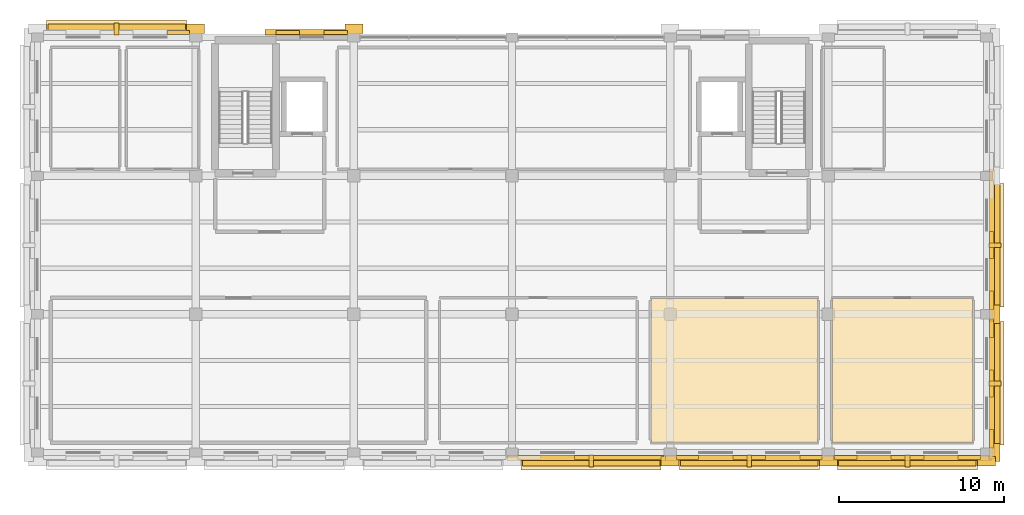
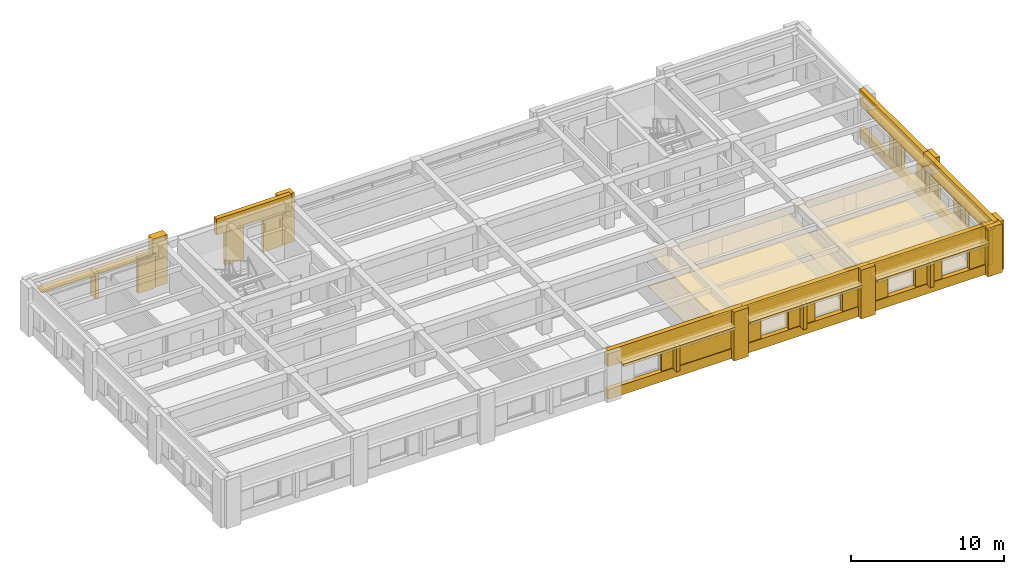
# One storey, part 10 of 11: 49 coverings, 6 shading devices.
"""IFC4 building model written with IfcOpenShell, lengths in metres."""

from ifc_helpers import new_model, si_unit, direction, frame, origin, origin_2d, place, context, subcontext, project, spatial, polyline, rectangle, outline, extrude, material, layer, layer_set, type_object, element, save


model = new_model("IFC4")

# Units and contexts
model_context = context("Model", 3, precision=1e-05, world=origin(), true_north=direction((0.0, 1.0)))
body_context = subcontext(model_context, "Body", "Model", "MODEL_VIEW")
ifc_project = project(units=[si_unit("LENGTHUNIT", "METRE"), si_unit("AREAUNIT", "SQUARE_METRE"), si_unit("VOLUMEUNIT", "CUBIC_METRE"), si_unit("PLANEANGLEUNIT", "RADIAN"), si_unit("MASSUNIT", "GRAM", prefix="KILO")], contexts=[model_context])

# Site, building, storey
site_placement = place(None, origin())
site = spatial("IfcSite", under=ifc_project, at=site_placement, CompositionType="ELEMENT")
building_placement = place(site_placement, origin())
building = spatial("IfcBuilding", under=site, at=building_placement, Name="Bempovik Park Faculty of Sciences", CompositionType="ELEMENT")
storey_placement = place(building_placement, frame((0.0, 0.0, 30.60009765625)))
storey = spatial("IfcBuildingStorey", under=building, at=storey_placement, Name="L07", CompositionType="ELEMENT", Elevation=30.60009765625)

# Coverings
ifc_material_1 = material(Name="Acoustic mineral ceiling tile")
ifc_layer_1 = layer(ifc_material_1, 0.0400390625)
ifc_layer_set_1 = layer_set([ifc_layer_1], Name="Acoustic mineral ceiling tile")
covering_type_1 = type_object("IfcCoveringType", Name="CE-01 Acoustic Ceiling 40mm", PredefinedType="CEILING", material=ifc_layer_set_1)
covering_1_placement = place(storey_placement, frame((0.0, 0.0, 2.809814453125)))
element("IfcCovering", 1, at=covering_1_placement, inside=storey, type_object=covering_type_1, Name="L07 Applied Mathematics Colloquium Room Acoustic Ceiling", PredefinedType="CEILING", context=body_context, shape_type="SweptSolid", body=[
    extrude(outline(polyline([(97.22998046875, 94.830078125), (107.3701171875, 94.830078125), (107.3701171875, 103.570068359375), (97.22998046875, 103.570068359375), (97.22998046875, 94.830078125)])), origin(), (0.0, 0.0, 1.0), 0.0400390625),
])
covering_2_placement = place(storey_placement, frame((0.0, 0.0, 2.809814453125)))
element("IfcCovering", 2, at=covering_2_placement, inside=storey, type_object=covering_type_1, Name="L07 Computational Science Staff Offices Acoustic Ceiling", PredefinedType="CEILING", context=body_context, shape_type="SweptSolid", body=[
    extrude(outline(polyline([(108.22998046875, 94.830078125), (116.77001953125, 94.830078125), (116.77001953125, 103.570068359375), (108.22998046875, 103.570068359375), (108.22998046875, 94.830078125)])), origin(), (0.0, 0.0, 1.0), 0.0400390625),
])
ifc_material_2 = material(Name="Precast concrete C40/50", Category="concrete")
ifc_layer_2 = layer(ifc_material_2, 0.179931640625)
ifc_layer_set_2 = layer_set([ifc_layer_2], Name="Precast concrete C40/50")
covering_type_2 = type_object("IfcCoveringType", Name="CL-02 Classical Cornice Band 180mm", PredefinedType="CLADDING", material=ifc_layer_set_2)
for number, where, z_axis, x_axis, name in (
    (3, (118.199951171875, 98.39990234375, 2.66015625), (0.0, 0.0, 1.0), (1.0, 0.0, 0.0), "L07 Classical Stone Solar Window Hood EW-L07-10555"),
    (4, (118.199951171875, 106.800048828125, 2.66015625), (0.0, 0.0, 1.0), (1.0, 0.0, 0.0), "L07 Classical Stone Solar Window Hood EW-L07-10568"),
):
    element("IfcCovering", number, at=place(storey_placement, frame(where, z_axis=z_axis, x_axis=x_axis)), inside=storey, type_object=covering_type_2, Name=name, PredefinedType="CLADDING", context=body_context, shape_type="SweptSolid", body=[
        extrude(rectangle(XDim=0.919921875, YDim=7.49609375, at=origin_2d()), origin(), (0.0, 0.0, 1.0), 0.219970703125),
    ])
for number, where, z_axis, x_axis, name in (
    (5, (64.800048828125, 120.0, 2.66015625), (0.0, 0.0, 1.0), (1.0, 0.0, 0.0), "L07 Classical Stone Solar Window Hood EW-L07-10592"),
    (6, (93.60009765625, 93.60009765625, 2.66015625), (0.0, 0.0, 1.0), (1.0, 0.0, 0.0), "L07 Classical Stone Solar Window Hood EW-L07-10738"),
    (7, (103.199951171875, 93.60009765625, 2.66015625), (0.0, 0.0, 1.0), (1.0, 0.0, 0.0), "L07 Classical Stone Solar Window Hood EW-L07-10748"),
    (8, (112.800048828125, 93.60009765625, 2.66015625), (0.0, 0.0, 1.0), (1.0, 0.0, 0.0), "L07 Classical Stone Solar Window Hood EW-L07-10760"),
):
    element("IfcCovering", number, at=place(storey_placement, frame(where, z_axis=z_axis, x_axis=x_axis)), inside=storey, type_object=covering_type_2, Name=name, PredefinedType="CLADDING", context=body_context, shape_type="SweptSolid", body=[
        extrude(rectangle(XDim=8.49609375, YDim=0.919921875, at=origin_2d()), origin(), (0.0, 0.0, 1.0), 0.219970703125),
    ])
ifc_material_3 = material(Name="White reconstituted limestone precast C40/50", Category="masonry")
ifc_layer_3 = layer(ifc_material_3, 0.239990234375)
ifc_layer_set_3 = layer_set([ifc_layer_3], Name="White reconstituted limestone precast C40/50")
covering_type_3 = type_object("IfcCoveringType", Name="CL-03 Classical Fluted Limestone Pilaster 240mm", PredefinedType="CLADDING", material=ifc_layer_set_3)
covering_3_placement = place(storey_placement, frame((117.909912109375, 98.39990234375, 2.6201171875), z_axis=(0.0, 0.0, 1.0), x_axis=(1.0, 0.0, 0.0)))
element("IfcCovering", 9, at=covering_3_placement, inside=storey, type_object=covering_type_3, Name="L07 Classical Limestone Spandrel Entablature EW-L07-10555", PredefinedType="CLADDING", context=body_context, shape_type="SweptSolid", body=[
    extrude(rectangle(XDim=0.340087890625, YDim=9.196044921875, at=origin_2d()), origin(), (0.0, 0.0, 1.0), 1.280029296875),
])
covering_4_placement = place(storey_placement, frame((117.909912109375, 98.39990234375, 0.0), z_axis=(0.0, 0.0, 1.0), x_axis=(1.0, 0.0, 0.0)))
element("IfcCovering", 10, at=covering_4_placement, inside=storey, type_object=covering_type_3, Name="L07 Classical Limestone Sill Dado EW-L07-10555", PredefinedType="CLADDING", context=body_context, shape_type="SweptSolid", body=[
    extrude(rectangle(XDim=0.340087890625, YDim=9.196044921875, at=origin_2d()), origin(), (0.0, 0.0, 1.0), 0.780029296875),
])
for number, where, z_axis, x_axis, name in (
    (11, (118.1298828125, 94.199951171875, 0.0), (0.0, 0.0, 1.0), (1.0, 0.0, 0.0), "L07 Classical Fluted Stone Pilaster PIL-BA-L07-1181-942"),
    (12, (118.1298828125, 102.60009765625, 0.0), (0.0, 0.0, 1.0), (1.0, 0.0, 0.0), "L07 Classical Fluted Stone Pilaster PIL-BA-L07-1181-1026"),
):
    element("IfcCovering", number, at=place(storey_placement, frame(where, z_axis=z_axis, x_axis=x_axis)), inside=storey, type_object=covering_type_3, Name=name, PredefinedType="CLADDING", context=body_context, shape_type="SweptSolid", body=[
        extrude(rectangle(XDim=0.580078125, YDim=1.10009765625, at=origin_2d()), origin(), (0.0, 0.0, 1.0), 3.89990234375),
    ])
covering_5_placement = place(storey_placement, frame((117.89990234375, 95.041259765625, 0.0), z_axis=(0.0, 0.0, 1.0), x_axis=(1.0, 0.0, 0.0)))
element("IfcCovering", 13, at=covering_5_placement, inside=storey, type_object=covering_type_3, Name="L07 White Limestone Wall Cheek EW-L07-10555-0", PredefinedType="CLADDING", context=body_context, shape_type="SweptSolid", body=[
    extrude(rectangle(XDim=0.239990234375, YDim=1.12841796875, at=origin_2d()), origin(), (0.0, 0.0, 1.0), 2.780029296875),
])
covering_6_placement = place(storey_placement, frame((117.89990234375, 98.39990234375, 0.0), z_axis=(0.0, 0.0, 1.0), x_axis=(1.0, 0.0, 0.0)))
element("IfcCovering", 14, at=covering_6_placement, inside=storey, type_object=covering_type_3, Name="L07 White Limestone Wall Cheek EW-L07-10555-2", PredefinedType="CLADDING", context=body_context, shape_type="SweptSolid", body=[
    extrude(rectangle(XDim=0.239990234375, YDim=1.629150390625, at=origin_2d()), origin(), (0.0, 0.0, 1.0), 2.780029296875),
])
covering_7_placement = place(storey_placement, frame((117.89990234375, 101.7587890625, 0.0), z_axis=(0.0, 0.0, 1.0), x_axis=(1.0, 0.0, 0.0)))
element("IfcCovering", 15, at=covering_7_placement, inside=storey, type_object=covering_type_3, Name="L07 White Limestone Wall Cheek EW-L07-10555-4", PredefinedType="CLADDING", context=body_context, shape_type="SweptSolid", body=[
    extrude(rectangle(XDim=0.239990234375, YDim=1.12841796875, at=origin_2d()), origin(), (0.0, 0.0, 1.0), 2.780029296875),
])
covering_8_placement = place(storey_placement, frame((118.110107421875, 98.39990234375, 0.64990234375), z_axis=(0.0, 0.0, 1.0), x_axis=(1.0, 0.0, 0.0)))
element("IfcCovering", 16, at=covering_8_placement, inside=storey, type_object=covering_type_3, Name="L07 Classical Vertical Stone Shading Fin EW-L07-10555", PredefinedType="CLADDING", context=body_context, shape_type="SweptSolid", body=[
    extrude(rectangle(XDim=0.719970703125, YDim=0.280029296875, at=origin_2d()), origin(), (0.0, 0.0, 1.0), 2.050048828125),
])
covering_9_placement = place(storey_placement, frame((117.909912109375, 106.800048828125, 2.6201171875), z_axis=(0.0, 0.0, 1.0), x_axis=(1.0, 0.0, 0.0)))
element("IfcCovering", 17, at=covering_9_placement, inside=storey, type_object=covering_type_3, Name="L07 Classical Limestone Spandrel Entablature EW-L07-10568", PredefinedType="CLADDING", context=body_context, shape_type="SweptSolid", body=[
    extrude(rectangle(XDim=0.340087890625, YDim=9.196044921875, at=origin_2d()), origin(), (0.0, 0.0, 1.0), 1.280029296875),
])
covering_10_placement = place(storey_placement, frame((117.909912109375, 106.800048828125, 0.0), z_axis=(0.0, 0.0, 1.0), x_axis=(1.0, 0.0, 0.0)))
element("IfcCovering", 18, at=covering_10_placement, inside=storey, type_object=covering_type_3, Name="L07 Classical Limestone Sill Dado EW-L07-10568", PredefinedType="CLADDING", context=body_context, shape_type="SweptSolid", body=[
    extrude(rectangle(XDim=0.340087890625, YDim=9.196044921875, at=origin_2d()), origin(), (0.0, 0.0, 1.0), 0.780029296875),
])
covering_11_placement = place(storey_placement, frame((117.89990234375, 103.441162109375, 0.0), z_axis=(0.0, 0.0, 1.0), x_axis=(1.0, 0.0, 0.0)))
element("IfcCovering", 19, at=covering_11_placement, inside=storey, type_object=covering_type_3, Name="L07 White Limestone Wall Cheek EW-L07-10568-0", PredefinedType="CLADDING", context=body_context, shape_type="SweptSolid", body=[
    extrude(rectangle(XDim=0.239990234375, YDim=1.12841796875, at=origin_2d()), origin(), (0.0, 0.0, 1.0), 2.780029296875),
])
covering_12_placement = place(storey_placement, frame((117.89990234375, 106.800048828125, 0.0), z_axis=(0.0, 0.0, 1.0), x_axis=(1.0, 0.0, 0.0)))
element("IfcCovering", 20, at=covering_12_placement, inside=storey, type_object=covering_type_3, Name="L07 White Limestone Wall Cheek EW-L07-10568-2", PredefinedType="CLADDING", context=body_context, shape_type="SweptSolid", body=[
    extrude(rectangle(XDim=0.239990234375, YDim=1.629150390625, at=origin_2d()), origin(), (0.0, 0.0, 1.0), 2.780029296875),
])
covering_13_placement = place(storey_placement, frame((118.110107421875, 106.800048828125, 0.64990234375), z_axis=(0.0, 0.0, 1.0), x_axis=(1.0, 0.0, 0.0)))
element("IfcCovering", 21, at=covering_13_placement, inside=storey, type_object=covering_type_3, Name="L07 Classical Vertical Stone Shading Fin EW-L07-10568", PredefinedType="CLADDING", context=body_context, shape_type="SweptSolid", body=[
    extrude(rectangle(XDim=0.719970703125, YDim=0.280029296875, at=origin_2d()), origin(), (0.0, 0.0, 1.0), 2.050048828125),
])
covering_14_placement = place(storey_placement, frame((69.60009765625, 119.929931640625, 0.0), z_axis=(0.0, 0.0, 1.0), x_axis=(1.0, 0.0, 0.0)))
element("IfcCovering", 22, at=covering_14_placement, inside=storey, type_object=covering_type_3, Name="L07 Classical Fluted Stone Pilaster PIL-BA-L07-696-1199", PredefinedType="CLADDING", context=body_context, shape_type="SweptSolid", body=[
    extrude(rectangle(XDim=1.10009765625, YDim=0.580078125, at=origin_2d()), origin(), (0.0, 0.0, 1.0), 3.89990234375),
])
covering_15_placement = place(storey_placement, frame((68.548828125, 119.699951171875, 0.0), z_axis=(0.0, 0.0, 1.0), x_axis=(1.0, 0.0, 0.0)))
element("IfcCovering", 23, at=covering_15_placement, inside=storey, type_object=covering_type_3, Name="L07 White Limestone Wall Cheek EW-L07-10592-4", PredefinedType="CLADDING", context=body_context, shape_type="SweptSolid", body=[
    extrude(rectangle(XDim=1.348388671875, YDim=0.239990234375, at=origin_2d()), origin(), (0.0, 0.0, 1.0), 2.780029296875),
])
covering_16_placement = place(storey_placement, frame((64.800048828125, 119.909912109375, 0.699951171875), z_axis=(0.0, 0.0, 1.0), x_axis=(1.0, 0.0, 0.0)))
element("IfcCovering", 24, at=covering_16_placement, inside=storey, type_object=covering_type_3, Name="L07 Classical Vertical Stone Shading Fin EW-L07-10592", PredefinedType="CLADDING", context=body_context, shape_type="SweptSolid", body=[
    extrude(rectangle(XDim=0.280029296875, YDim=0.719970703125, at=origin_2d()), origin(), (0.0, 0.0, 1.0), 2.0),
])
covering_17_placement = place(storey_placement, frame((76.6494140625, 119.7099609375, 2.6201171875), z_axis=(0.0, 0.0, 1.0), x_axis=(1.0, 0.0, 0.0)))
element("IfcCovering", 25, at=covering_17_placement, inside=storey, type_object=covering_type_3, Name="L07 Classical Limestone Spandrel Entablature EW-L07-10605", PredefinedType="CLADDING", context=body_context, shape_type="SweptSolid", body=[
    extrude(rectangle(XDim=5.697021484375, YDim=0.340087890625, at=origin_2d()), origin(), (0.0, 0.0, 1.0), 1.280029296875),
])
covering_18_placement = place(storey_placement, frame((79.199951171875, 119.929931640625, 0.0), z_axis=(0.0, 0.0, 1.0), x_axis=(1.0, 0.0, 0.0)))
element("IfcCovering", 26, at=covering_18_placement, inside=storey, type_object=covering_type_3, Name="L07 Classical Fluted Stone Pilaster PIL-BA-L07-792-1199", PredefinedType="CLADDING", context=body_context, shape_type="SweptSolid", body=[
    extrude(rectangle(XDim=1.10009765625, YDim=0.580078125, at=origin_2d()), origin(), (0.0, 0.0, 1.0), 3.89990234375),
])
for number, where, z_axis, x_axis, name in (
    (27, (75.19287109375, 119.699951171875, 0.0), (0.0, 0.0, 1.0), (1.0, 0.0, 0.0), "L07 Stairwell White Limestone Cheek EW-L07-10605-1"),
    (28, (78.106201171875, 119.699951171875, 0.0), (0.0, 0.0, 1.0), (1.0, 0.0, 0.0), "L07 Stairwell White Limestone Cheek EW-L07-10605-2"),
):
    element("IfcCovering", number, at=place(storey_placement, frame(where, z_axis=z_axis, x_axis=x_axis)), inside=storey, type_object=covering_type_3, Name=name, PredefinedType="CLADDING", context=body_context, shape_type="SweptSolid", body=[
        extrude(rectangle(XDim=1.43359375, YDim=0.239990234375, at=origin_2d()), origin(), (0.0, 0.0, 1.0), 2.780029296875),
    ])
covering_19_placement = place(storey_placement, frame((93.60009765625, 93.889892578125, 2.6201171875), z_axis=(0.0, 0.0, 1.0), x_axis=(1.0, 0.0, 0.0)))
element("IfcCovering", 29, at=covering_19_placement, inside=storey, type_object=covering_type_3, Name="L07 Classical Limestone Spandrel Entablature EW-L07-10738", PredefinedType="CLADDING", context=body_context, shape_type="SweptSolid", body=[
    extrude(rectangle(XDim=10.196044921875, YDim=0.340087890625, at=origin_2d()), origin(), (0.0, 0.0, 1.0), 1.280029296875),
])
covering_20_placement = place(storey_placement, frame((93.60009765625, 93.889892578125, 0.0), z_axis=(0.0, 0.0, 1.0), x_axis=(1.0, 0.0, 0.0)))
element("IfcCovering", 30, at=covering_20_placement, inside=storey, type_object=covering_type_3, Name="L07 Classical Limestone Sill Dado EW-L07-10738", PredefinedType="CLADDING", context=body_context, shape_type="SweptSolid", body=[
    extrude(rectangle(XDim=10.196044921875, YDim=0.340087890625, at=origin_2d()), origin(), (0.0, 0.0, 1.0), 0.780029296875),
])
covering_21_placement = place(storey_placement, frame((98.39990234375, 93.669921875, 0.0), z_axis=(0.0, 0.0, 1.0), x_axis=(1.0, 0.0, 0.0)))
element("IfcCovering", 31, at=covering_21_placement, inside=storey, type_object=covering_type_3, Name="L07 Classical Fluted Stone Pilaster PIL-BA-L07-984-937", PredefinedType="CLADDING", context=body_context, shape_type="SweptSolid", body=[
    extrude(rectangle(XDim=1.10009765625, YDim=0.580078125, at=origin_2d()), origin(), (0.0, 0.0, 1.0), 3.89990234375),
])
covering_22_placement = place(storey_placement, frame((95.314208984375, 93.89990234375, 0.0), z_axis=(0.0, 0.0, 1.0), x_axis=(1.0, 0.0, 0.0)))
element("IfcCovering", 32, at=covering_22_placement, inside=storey, type_object=covering_type_3, Name="L07 White Limestone Wall Cheek EW-L07-10738-2", PredefinedType="CLADDING", context=body_context, shape_type="SweptSolid", body=[
    extrude(rectangle(XDim=5.41748046875, YDim=0.239990234375, at=origin_2d()), origin(), (0.0, 0.0, 1.0), 2.780029296875),
])
covering_23_placement = place(storey_placement, frame((93.60009765625, 93.68994140625, 0.699951171875), z_axis=(0.0, 0.0, 1.0), x_axis=(1.0, 0.0, 0.0)))
element("IfcCovering", 33, at=covering_23_placement, inside=storey, type_object=covering_type_3, Name="L07 Classical Vertical Stone Shading Fin EW-L07-10738", PredefinedType="CLADDING", context=body_context, shape_type="SweptSolid", body=[
    extrude(rectangle(XDim=0.280029296875, YDim=0.719970703125, at=origin_2d()), origin(), (0.0, 0.0, 1.0), 2.0),
])
covering_24_placement = place(storey_placement, frame((103.199951171875, 93.889892578125, 2.6201171875), z_axis=(0.0, 0.0, 1.0), x_axis=(1.0, 0.0, 0.0)))
element("IfcCovering", 34, at=covering_24_placement, inside=storey, type_object=covering_type_3, Name="L07 Classical Limestone Spandrel Entablature EW-L07-10748", PredefinedType="CLADDING", context=body_context, shape_type="SweptSolid", body=[
    extrude(rectangle(XDim=10.196044921875, YDim=0.340087890625, at=origin_2d()), origin(), (0.0, 0.0, 1.0), 1.280029296875),
])
covering_25_placement = place(storey_placement, frame((103.199951171875, 93.889892578125, 0.0), z_axis=(0.0, 0.0, 1.0), x_axis=(1.0, 0.0, 0.0)))
element("IfcCovering", 35, at=covering_25_placement, inside=storey, type_object=covering_type_3, Name="L07 Classical Limestone Sill Dado EW-L07-10748", PredefinedType="CLADDING", context=body_context, shape_type="SweptSolid", body=[
    extrude(rectangle(XDim=10.196044921875, YDim=0.340087890625, at=origin_2d()), origin(), (0.0, 0.0, 1.0), 0.780029296875),
])
covering_26_placement = place(storey_placement, frame((108.0, 93.669921875, 0.0), z_axis=(0.0, 0.0, 1.0), x_axis=(1.0, 0.0, 0.0)))
element("IfcCovering", 36, at=covering_26_placement, inside=storey, type_object=covering_type_3, Name="L07 Classical Fluted Stone Pilaster PIL-BA-L07-1080-937", PredefinedType="CLADDING", context=body_context, shape_type="SweptSolid", body=[
    extrude(rectangle(XDim=1.10009765625, YDim=0.580078125, at=origin_2d()), origin(), (0.0, 0.0, 1.0), 3.89990234375),
])
covering_27_placement = place(storey_placement, frame((99.451171875, 93.89990234375, 0.0), z_axis=(0.0, 0.0, 1.0), x_axis=(1.0, 0.0, 0.0)))
element("IfcCovering", 37, at=covering_27_placement, inside=storey, type_object=covering_type_3, Name="L07 White Limestone Wall Cheek EW-L07-10748-0", PredefinedType="CLADDING", context=body_context, shape_type="SweptSolid", body=[
    extrude(rectangle(XDim=1.348388671875, YDim=0.239990234375, at=origin_2d()), origin(), (0.0, 0.0, 1.0), 2.780029296875),
])
covering_28_placement = place(storey_placement, frame((103.199951171875, 93.89990234375, 0.0), z_axis=(0.0, 0.0, 1.0), x_axis=(1.0, 0.0, 0.0)))
element("IfcCovering", 38, at=covering_28_placement, inside=storey, type_object=covering_type_3, Name="L07 White Limestone Wall Cheek EW-L07-10748-2", PredefinedType="CLADDING", context=body_context, shape_type="SweptSolid", body=[
    extrude(rectangle(XDim=1.9892578125, YDim=0.239990234375, at=origin_2d()), origin(), (0.0, 0.0, 1.0), 2.780029296875),
])
covering_29_placement = place(storey_placement, frame((106.94873046875, 93.89990234375, 0.0), z_axis=(0.0, 0.0, 1.0), x_axis=(1.0, 0.0, 0.0)))
element("IfcCovering", 39, at=covering_29_placement, inside=storey, type_object=covering_type_3, Name="L07 White Limestone Wall Cheek EW-L07-10748-4", PredefinedType="CLADDING", context=body_context, shape_type="SweptSolid", body=[
    extrude(rectangle(XDim=1.348388671875, YDim=0.239990234375, at=origin_2d()), origin(), (0.0, 0.0, 1.0), 2.780029296875),
])
covering_30_placement = place(storey_placement, frame((103.199951171875, 93.68994140625, 0.699951171875), z_axis=(0.0, 0.0, 1.0), x_axis=(1.0, 0.0, 0.0)))
element("IfcCovering", 40, at=covering_30_placement, inside=storey, type_object=covering_type_3, Name="L07 Classical Vertical Stone Shading Fin EW-L07-10748", PredefinedType="CLADDING", context=body_context, shape_type="SweptSolid", body=[
    extrude(rectangle(XDim=0.280029296875, YDim=0.719970703125, at=origin_2d()), origin(), (0.0, 0.0, 1.0), 2.0),
])
covering_31_placement = place(storey_placement, frame((112.800048828125, 93.889892578125, 2.6201171875), z_axis=(0.0, 0.0, 1.0), x_axis=(1.0, 0.0, 0.0)))
element("IfcCovering", 41, at=covering_31_placement, inside=storey, type_object=covering_type_3, Name="L07 Classical Limestone Spandrel Entablature EW-L07-10760", PredefinedType="CLADDING", context=body_context, shape_type="SweptSolid", body=[
    extrude(rectangle(XDim=10.196044921875, YDim=0.340087890625, at=origin_2d()), origin(), (0.0, 0.0, 1.0), 1.280029296875),
])
covering_32_placement = place(storey_placement, frame((112.800048828125, 93.889892578125, 0.0), z_axis=(0.0, 0.0, 1.0), x_axis=(1.0, 0.0, 0.0)))
element("IfcCovering", 42, at=covering_32_placement, inside=storey, type_object=covering_type_3, Name="L07 Classical Limestone Sill Dado EW-L07-10760", PredefinedType="CLADDING", context=body_context, shape_type="SweptSolid", body=[
    extrude(rectangle(XDim=10.196044921875, YDim=0.340087890625, at=origin_2d()), origin(), (0.0, 0.0, 1.0), 0.780029296875),
])
covering_33_placement = place(storey_placement, frame((117.60009765625, 93.669921875, 0.0), z_axis=(0.0, 0.0, 1.0), x_axis=(1.0, 0.0, 0.0)))
element("IfcCovering", 43, at=covering_33_placement, inside=storey, type_object=covering_type_3, Name="L07 Classical Fluted Stone Pilaster PIL-BA-L07-1176-937", PredefinedType="CLADDING", context=body_context, shape_type="SweptSolid", body=[
    extrude(rectangle(XDim=1.10009765625, YDim=0.580078125, at=origin_2d()), origin(), (0.0, 0.0, 1.0), 3.89990234375),
])
covering_34_placement = place(storey_placement, frame((109.05126953125, 93.89990234375, 0.0), z_axis=(0.0, 0.0, 1.0), x_axis=(1.0, 0.0, 0.0)))
element("IfcCovering", 44, at=covering_34_placement, inside=storey, type_object=covering_type_3, Name="L07 White Limestone Wall Cheek EW-L07-10760-0", PredefinedType="CLADDING", context=body_context, shape_type="SweptSolid", body=[
    extrude(rectangle(XDim=1.348388671875, YDim=0.239990234375, at=origin_2d()), origin(), (0.0, 0.0, 1.0), 2.780029296875),
])
covering_35_placement = place(storey_placement, frame((112.800048828125, 93.89990234375, 0.0), z_axis=(0.0, 0.0, 1.0), x_axis=(1.0, 0.0, 0.0)))
element("IfcCovering", 45, at=covering_35_placement, inside=storey, type_object=covering_type_3, Name="L07 White Limestone Wall Cheek EW-L07-10760-2", PredefinedType="CLADDING", context=body_context, shape_type="SweptSolid", body=[
    extrude(rectangle(XDim=1.9892578125, YDim=0.239990234375, at=origin_2d()), origin(), (0.0, 0.0, 1.0), 2.780029296875),
])
covering_36_placement = place(storey_placement, frame((116.548828125, 93.89990234375, 0.0), z_axis=(0.0, 0.0, 1.0), x_axis=(1.0, 0.0, 0.0)))
element("IfcCovering", 46, at=covering_36_placement, inside=storey, type_object=covering_type_3, Name="L07 White Limestone Wall Cheek EW-L07-10760-4", PredefinedType="CLADDING", context=body_context, shape_type="SweptSolid", body=[
    extrude(rectangle(XDim=1.348388671875, YDim=0.239990234375, at=origin_2d()), origin(), (0.0, 0.0, 1.0), 2.780029296875),
])
covering_37_placement = place(storey_placement, frame((112.800048828125, 93.68994140625, 0.699951171875), z_axis=(0.0, 0.0, 1.0), x_axis=(1.0, 0.0, 0.0)))
element("IfcCovering", 47, at=covering_37_placement, inside=storey, type_object=covering_type_3, Name="L07 Classical Vertical Stone Shading Fin EW-L07-10760", PredefinedType="CLADDING", context=body_context, shape_type="SweptSolid", body=[
    extrude(rectangle(XDim=0.280029296875, YDim=0.719970703125, at=origin_2d()), origin(), (0.0, 0.0, 1.0), 2.0),
])
ifc_material_4 = material(Name="Polished mineral terrazzo flooring")
ifc_layer_4 = layer(ifc_material_4, 0.030029296875)
ifc_layer_set_4 = layer_set([ifc_layer_4], Name="Polished mineral terrazzo flooring")
covering_type_4 = type_object("IfcCoveringType", Name="FL-01 Terrazzo Flooring 30mm", PredefinedType="FLOORING", material=ifc_layer_set_4)
covering_38_placement = place(storey_placement, origin())
element("IfcCovering", 48, at=covering_38_placement, inside=storey, type_object=covering_type_4, Name="L07 Applied Mathematics Colloquium Room Terrazzo Flooring", PredefinedType="FLOORING", context=body_context, shape_type="SweptSolid", body=[
    extrude(outline(polyline([(97.22998046875, 94.830078125), (107.3701171875, 94.830078125), (107.3701171875, 103.570068359375), (97.22998046875, 103.570068359375), (97.22998046875, 94.830078125)])), origin(), (0.0, 0.0, 1.0), 0.02978515625),
])
covering_39_placement = place(storey_placement, origin())
element("IfcCovering", 49, at=covering_39_placement, inside=storey, type_object=covering_type_4, Name="L07 Computational Science Staff Offices Terrazzo Flooring", PredefinedType="FLOORING", context=body_context, shape_type="SweptSolid", body=[
    extrude(outline(polyline([(108.22998046875, 94.830078125), (116.77001953125, 94.830078125), (116.77001953125, 103.570068359375), (108.22998046875, 103.570068359375), (108.22998046875, 94.830078125)])), origin(), (0.0, 0.0, 1.0), 0.02978515625),
])

# Shading devices
ifc_material_5 = material(Name="Anodised architectural bronze")
ifc_layer_5 = layer(ifc_material_5, 0.06005859375)
ifc_layer_set_5 = layer_set([ifc_layer_5], Name="Anodised architectural bronze")
shading_device_type = type_object("IfcShadingDeviceType", Name="SH-01 Bronze Brise-Soleil Fin", PredefinedType="USERDEFINED", material=ifc_layer_set_5)
for number, where, z_axis, x_axis, name in (
    (50, (118.080078125, 98.39990234375, 2.599853515625), (0.0, 0.0, 1.0), (1.0, 0.0, 0.0), "L07 Equatorial Bronze Brise-Soleil EW-L07-10555"),
    (51, (118.080078125, 106.800048828125, 2.599853515625), (0.0, 0.0, 1.0), (1.0, 0.0, 0.0), "L07 Equatorial Bronze Brise-Soleil EW-L07-10568"),
):
    element("IfcShadingDevice", number, at=place(storey_placement, frame(where, z_axis=z_axis, x_axis=x_axis)), inside=storey, type_object=shading_device_type, Name=name, ObjectType="BRISE SOLEIL", PredefinedType="USERDEFINED", context=body_context, shape_type="SweptSolid", body=[
        extrude(rectangle(XDim=0.64990234375, YDim=7.345947265625, at=origin_2d()), origin(), (0.0, 0.0, 1.0), 0.06005859375),
    ])
for number, where, z_axis, x_axis, name in (
    (52, (64.800048828125, 119.8798828125, 2.599853515625), (0.0, 0.0, 1.0), (1.0, 0.0, 0.0), "L07 Equatorial Bronze Brise-Soleil EW-L07-10592"),
    (53, (93.60009765625, 93.719970703125, 2.599853515625), (0.0, 0.0, 1.0), (1.0, 0.0, 0.0), "L07 Equatorial Bronze Brise-Soleil EW-L07-10738"),
    (54, (103.199951171875, 93.719970703125, 2.599853515625), (0.0, 0.0, 1.0), (1.0, 0.0, 0.0), "L07 Equatorial Bronze Brise-Soleil EW-L07-10748"),
    (55, (112.800048828125, 93.719970703125, 2.599853515625), (0.0, 0.0, 1.0), (1.0, 0.0, 0.0), "L07 Equatorial Bronze Brise-Soleil EW-L07-10760"),
):
    element("IfcShadingDevice", number, at=place(storey_placement, frame(where, z_axis=z_axis, x_axis=x_axis)), inside=storey, type_object=shading_device_type, Name=name, ObjectType="BRISE SOLEIL", PredefinedType="USERDEFINED", context=body_context, shape_type="SweptSolid", body=[
        extrude(rectangle(XDim=8.345947265625, YDim=0.64990234375, at=origin_2d()), origin(), (0.0, 0.0, 1.0), 0.06005859375),
    ])

save(model, "model.ifc")
